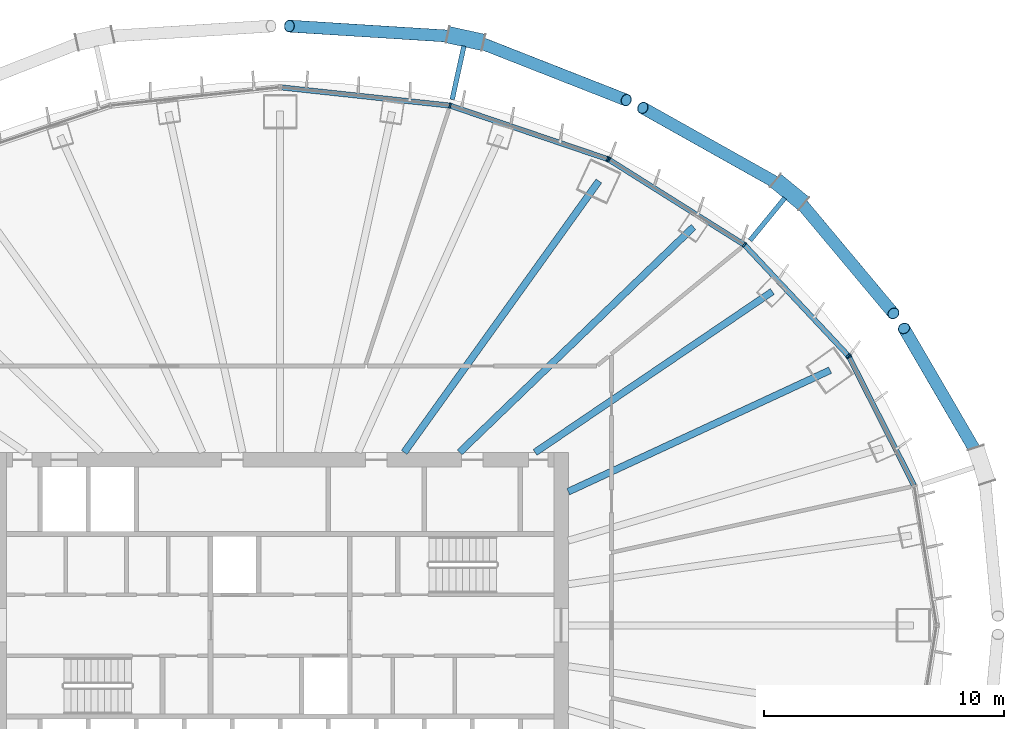
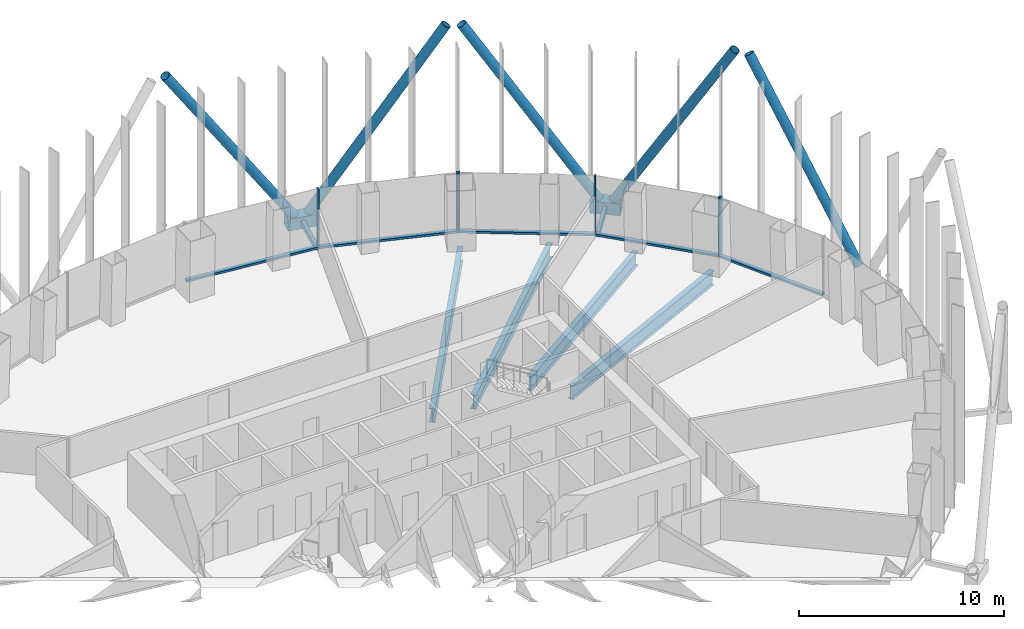
# One storey, part 5 of 19: 20 members, 4 beams, 3 elements without a shape of their own.
"""IFC4 building model written with IfcOpenShell, lengths in metres."""

from ifc_helpers import new_model, si_unit, direction, frame, origin, origin_2d, place, context, subcontext, project, spatial, rectangle, hollow_rectangle, hollow_circle, i_section, extrude, material, layer, layer_set, material_profile, profile_set, type_object, element, aggregate, save


model = new_model("IFC4")

# Units and contexts
model_context = context("Model", 3, precision=1e-05, world=origin(), true_north=direction((0.0, 1.0)))
body_context = subcontext(model_context, "Body", "Model", "MODEL_VIEW")
ifc_project = project(units=[si_unit("LENGTHUNIT", "METRE"), si_unit("AREAUNIT", "SQUARE_METRE"), si_unit("VOLUMEUNIT", "CUBIC_METRE"), si_unit("PLANEANGLEUNIT", "RADIAN"), si_unit("MASSUNIT", "GRAM", prefix="KILO")], contexts=[model_context])

# Site, building, storey
site_placement = place(None, origin())
site = spatial("IfcSite", under=ifc_project, at=site_placement, CompositionType="ELEMENT")
building_placement = place(site_placement, origin())
building = spatial("IfcBuilding", under=site, at=building_placement, Name="Siaravel Broadcast Tower", CompositionType="ELEMENT")
storey_placement = place(building_placement, frame((0.0, 0.0, 59.300048828125)))
storey = spatial("IfcBuildingStorey", under=building, at=storey_placement, Name="L13", CompositionType="ELEMENT", Elevation=59.300048828125)

# Beams
ifc_material_1 = material(Name="Steel S355", Category="steel")
ifc_material_profile_1 = material_profile(ifc_material_1, i_section(OverallWidth=0.291748046875, OverallDepth=0.8349609375, WebThickness=0.013916015625, FlangeThickness=0.018798828125, FilletRadius=0.017822265625, at=origin_2d()))
ifc_profile_set_1 = profile_set([ifc_material_profile_1], Name="Steel S355")
beam_type = type_object("IfcBeamType", Name="BM-UB 838x292x176", PredefinedType="BEAM", material=ifc_profile_set_1)
beam_1_placement = place(storey_placement, frame((22.90771484375, 10.625, -0.567626953125), z_axis=(-0.907166781, -0.420771234, 0.0), x_axis=(0.420771234, -0.907166781, 0.0)))
element("IfcBeam", 1, at=beam_1_placement, inside=storey, type_object=beam_type, Name="Radial beam RB04", PredefinedType="BEAM", context=body_context, shape_type="SweptSolid", body=[
    extrude(i_section(OverallWidth=0.291748046875, OverallDepth=0.8349609375, WebThickness=0.013916015625, FlangeThickness=0.018798828125, FilletRadius=0.017822265625, at=origin_2d()), origin(), (0.0, 0.0, 1.0), 12.02392578125),
])
beam_2_placement = place(storey_placement, frame((20.49951171875, 13.9013671875, -0.567626953125), z_axis=(-0.827642334, -0.561255884, 0.0), x_axis=(0.561255884, -0.827642334, 0.0)))
element("IfcBeam", 2, at=beam_2_placement, inside=storey, type_object=beam_type, Name="Radial beam RB05", PredefinedType="BEAM", context=body_context, shape_type="SweptSolid", body=[
    extrude(i_section(OverallWidth=0.291748046875, OverallDepth=0.8349609375, WebThickness=0.013916015625, FlangeThickness=0.018798828125, FilletRadius=0.017822265625, at=origin_2d()), origin(), (0.0, 0.0, 1.0), 11.93994140625),
])
beam_3_placement = place(storey_placement, frame((17.217041015625, 16.590087890625, -0.567626953125), z_axis=(-0.720091822, -0.693878784, 0.0), x_axis=(0.693878784, -0.720091822, 0.0)))
element("IfcBeam", 3, at=beam_3_placement, inside=storey, type_object=beam_type, Name="Radial beam RB06", PredefinedType="BEAM", context=body_context, shape_type="SweptSolid", body=[
    extrude(i_section(OverallWidth=0.291748046875, OverallDepth=0.8349609375, WebThickness=0.013916015625, FlangeThickness=0.018798828125, FilletRadius=0.017822265625, at=origin_2d()), origin(), (0.0, 0.0, 1.0), 13.53271484375),
])
beam_4_placement = place(storey_placement, frame((13.274658203125, 18.506103515625, -0.567626953125), z_axis=(-0.582857003, -0.812574743, 0.0), x_axis=(0.812574743, -0.582857003, 0.0)))
element("IfcBeam", 4, at=beam_4_placement, inside=storey, type_object=beam_type, Name="Radial beam RB07", PredefinedType="BEAM", context=body_context, shape_type="SweptSolid", body=[
    extrude(i_section(OverallWidth=0.291748046875, OverallDepth=0.8349609375, WebThickness=0.013916015625, FlangeThickness=0.018798828125, FilletRadius=0.017822265625, at=origin_2d()), origin(), (0.0, 0.0, 1.0), 13.9140625),
])

# Curtain wall, member
ifc_material_2 = material(Name="Aluminium 6063-T6", Category="aluminium")
ifc_layer = layer(ifc_material_2, 0.219970703125)
ifc_layer_set = layer_set([ifc_layer], Name="Aluminium 6063-T6")
curtain_wall_type = type_object("IfcCurtainWallType", Name="Unitised curtain wall, zone 1", PredefinedType="NOTDEFINED", material=ifc_layer_set)
curtain_wall_1_placement = place(storey_placement, origin())
curtain_wall_1 = element("IfcCurtainWall", 5, at=curtain_wall_1_placement, inside=storey, type_object=curtain_wall_type, Name="L13 Unitised curtain wall, zone 1 01", PredefinedType="NOTDEFINED")
ifc_material_profile_2 = material_profile(ifc_material_2, rectangle(XDim=0.219970703125, YDim=0.070068359375, at=origin_2d()))
ifc_profile_set_2 = profile_set([ifc_material_profile_2], Name="Aluminium 6063-T6")
member_type_1 = type_object("IfcMemberType", Name="CW-Z1 mullion", PredefinedType="MULLION", material=ifc_profile_set_2)
member_1_placement = place(storey_placement, frame((23.697265625, 11.177490234375, 0.0), z_axis=(0.0, 0.0, 1.0), x_axis=(-0.892391293, -0.451262428, 0.0)))
member_1 = element("IfcMember", 6, at=member_1_placement, type_object=member_type_1, Name="CW-Z1 mullion 3", PredefinedType="MULLION", context=body_context, shape_type="SweptSolid", body=[
    extrude(rectangle(XDim=0.219970703125, YDim=0.070068359375, at=origin_2d()), origin(), (0.0, 0.0, 1.0), 3.550048828125),
])

# Curtain wall, members
curtain_wall_2_placement = place(storey_placement, origin())
curtain_wall_2 = element("IfcCurtainWall", 7, at=curtain_wall_2_placement, inside=storey, type_object=curtain_wall_type, Name="L13 Unitised curtain wall, zone 1 02", PredefinedType="NOTDEFINED")
member_2_placement = place(storey_placement, frame((23.657470703125, 11.234375, 0.0), z_axis=(0.0, 0.0, 1.0), x_axis=(-0.729803931, -0.683656509, 0.0)))
member_2 = element("IfcMember", 8, at=member_2_placement, type_object=member_type_1, Name="CW-Z1 mullion 1", PredefinedType="MULLION", context=body_context, shape_type="SweptSolid", body=[
    extrude(rectangle(XDim=0.219970703125, YDim=0.070068359375, at=origin_2d()), origin(), (0.0, 0.0, 1.0), 3.550048828125),
])
member_3_placement = place(storey_placement, frame((19.333984375, 15.849609375, 0.0), z_axis=(0.0, 0.0, 1.0), x_axis=(-0.636217305, -0.77150991, 0.0)))
member_3 = element("IfcMember", 9, at=member_3_placement, type_object=member_type_1, Name="CW-Z1 mullion 2", PredefinedType="MULLION", context=body_context, shape_type="SweptSolid", body=[
    extrude(rectangle(XDim=0.219970703125, YDim=0.070068359375, at=origin_2d()), origin(), (0.0, 0.0, 1.0), 3.550048828125),
])
member_4_placement = place(storey_placement, frame((13.699951171875, 19.390869140625, 0.0), z_axis=(0.0, 0.0, 1.0), x_axis=(-0.532147932, -0.846651392, 0.0)))
member_4 = element("IfcMember", 10, at=member_4_placement, type_object=member_type_1, Name="CW-Z1 mullion 3", PredefinedType="MULLION", context=body_context, shape_type="SweptSolid", body=[
    extrude(rectangle(XDim=0.219970703125, YDim=0.070068359375, at=origin_2d()), origin(), (0.0, 0.0, 1.0), 3.550048828125),
])

curtain_wall_3_placement = place(storey_placement, origin())
curtain_wall_3 = element("IfcCurtainWall", 11, at=curtain_wall_3_placement, inside=storey, type_object=curtain_wall_type, Name="L13 Unitised curtain wall, zone 1 03", PredefinedType="NOTDEFINED")
member_5_placement = place(storey_placement, frame((13.63720703125, 19.420654296875, 0.0), z_axis=(0.0, 0.0, 1.0), x_axis=(-0.321299732, -0.946977551, 0.0)))
member_5 = element("IfcMember", 12, at=member_5_placement, type_object=member_type_1, Name="CW-Z1 mullion 1", PredefinedType="MULLION", context=body_context, shape_type="SweptSolid", body=[
    extrude(rectangle(XDim=0.219970703125, YDim=0.070068359375, at=origin_2d()), origin(), (0.0, 0.0, 1.0), 3.550048828125),
])
member_6_placement = place(storey_placement, frame((7.075927734375, 21.646728515625, 0.0), z_axis=(0.0, 0.0, 1.0), x_axis=(-0.215557455, -0.976491159, 0.0)))
member_6 = element("IfcMember", 13, at=member_6_placement, type_object=member_type_1, Name="CW-Z1 mullion 2", PredefinedType="MULLION", context=body_context, shape_type="SweptSolid", body=[
    extrude(rectangle(XDim=0.219970703125, YDim=0.070068359375, at=origin_2d()), origin(), (0.0, 0.0, 1.0), 3.550048828125),
])

# Member
ifc_material_profile_3 = material_profile(ifc_material_2, rectangle(XDim=0.219970703125, YDim=0.1201171875, at=origin_2d()))
ifc_profile_set_3 = profile_set([ifc_material_profile_3], Name="Aluminium 6063-T6")
member_type_2 = type_object("IfcMemberType", Name="CW-Z1 transom", PredefinedType="USERDEFINED", material=ifc_profile_set_3)
member_7_placement = place(storey_placement, frame((26.3994140625, 5.833984375, 0.06005859375), z_axis=(-0.451293706, 0.892375477, 0.0), x_axis=(-0.892375477, -0.451293706, 0.0)))
member_7 = element("IfcMember", 14, at=member_7_placement, type_object=member_type_2, Name="CW-Z1 transom 2", ObjectType="TRANSOM", PredefinedType="USERDEFINED", context=body_context, shape_type="SweptSolid", body=[
    extrude(rectangle(XDim=0.219970703125, YDim=0.1201171875, at=origin_2d()), origin(), (0.0, 0.0, 1.0), 5.952880859375),
])

aggregate(curtain_wall_1, [member_1, member_7])

member_8_placement = place(storey_placement, frame((23.633544921875, 11.259765625, 0.06005859375), z_axis=(-0.683638503, 0.729820798, 0.0), x_axis=(-0.729820798, -0.683638503, 0.0)))
member_8 = element("IfcMember", 15, at=member_8_placement, type_object=member_type_2, Name="CW-Z1 transom 1", ObjectType="TRANSOM", PredefinedType="USERDEFINED", context=body_context, shape_type="SweptSolid", body=[
    extrude(rectangle(XDim=0.219970703125, YDim=0.1201171875, at=origin_2d()), origin(), (0.0, 0.0, 1.0), 6.25390625),
])

member_9_placement = place(storey_placement, frame((19.304443359375, 15.8681640625, 0.06005859375), z_axis=(-0.846643708, 0.532160155, 0.0), x_axis=(-0.532160155, -0.846643708, 0.0)))
member_9 = element("IfcMember", 16, at=member_9_placement, type_object=member_type_2, Name="CW-Z1 transom 2", ObjectType="TRANSOM", PredefinedType="USERDEFINED", context=body_context, shape_type="SweptSolid", body=[
    extrude(rectangle(XDim=0.219970703125, YDim=0.1201171875, at=origin_2d()), origin(), (0.0, 0.0, 1.0), 6.584716796875),
])

aggregate(curtain_wall_2, [member_2, member_3, member_4, member_8, member_9])

member_10_placement = place(storey_placement, frame((13.60400390625, 19.431884765625, 0.06005859375), z_axis=(-0.946978894, 0.321295775, 0.0), x_axis=(-0.321295775, -0.946978894, 0.0)))
member_10 = element("IfcMember", 17, at=member_10_placement, type_object=member_type_2, Name="CW-Z1 transom 1", ObjectType="TRANSOM", PredefinedType="USERDEFINED", context=body_context, shape_type="SweptSolid", body=[
    extrude(rectangle(XDim=0.219970703125, YDim=0.1201171875, at=origin_2d()), origin(), (0.0, 0.0, 1.0), 6.8583984375),
])

member_11_placement = place(storey_placement, frame((7.041015625, 21.650634765625, 0.06005859375), z_axis=(-0.994236875, 0.10720558, 0.0), x_axis=(-0.10720558, -0.994236875, 0.0)))
member_11 = element("IfcMember", 18, at=member_11_placement, type_object=member_type_2, Name="CW-Z1 transom 2", ObjectType="TRANSOM", PredefinedType="USERDEFINED", context=body_context, shape_type="SweptSolid", body=[
    extrude(rectangle(XDim=0.219970703125, YDim=0.1201171875, at=origin_2d()), origin(), (0.0, 0.0, 1.0), 7.011962890625),
])

aggregate(curtain_wall_3, [member_5, member_6, member_10, member_11])

# Members
ifc_material_3 = material(Name="Steel S460", Category="steel")
ifc_material_profile_4 = material_profile(ifc_material_3, hollow_circle(Radius=0.25390625, WallThickness=0.02001953125, at=origin_2d()))
ifc_profile_set_4 = profile_set([ifc_material_profile_4], Name="Steel S460")
member_type_3 = type_object("IfcMemberType", Name="Diagrid diagonal CHS 508x20", PredefinedType="BRACE", material=ifc_profile_set_4)
member_12_placement = place(storey_placement, frame((29.091796875, 7.03759765625, 0.119873046875), z_axis=(-0.25587912, 0.438922755, 0.861320319), x_axis=(-0.863915209, -0.503637282, 0.0)))
element("IfcMember", 19, at=member_12_placement, inside=storey, type_object=member_type_3, Name="Diagrid diagonal R06 station 03A", PredefinedType="BRACE", context=body_context, shape_type="SweptSolid", body=[
    extrude(hollow_circle(Radius=0.25390625, WallThickness=0.02001953125, at=origin_2d()), origin(), (0.0, 0.0, 1.0), 12.14404296875),
])
member_13_placement = place(storey_placement, frame((21.51513671875, 17.80419921875, 0.119873046875), z_axis=(0.330464739, -0.394736779, 0.857307373), x_axis=(0.766769686, 0.641922308, 0.0)))
element("IfcMember", 20, at=member_13_placement, inside=storey, type_object=member_type_3, Name="Diagrid diagonal R06 station 09C", PredefinedType="BRACE", context=body_context, shape_type="SweptSolid", body=[
    extrude(hollow_circle(Radius=0.25390625, WallThickness=0.02001953125, at=origin_2d()), origin(), (0.0, 0.0, 1.0), 12.200927734375),
])
member_14_placement = place(storey_placement, frame((20.927978515625, 18.28515625, 0.119873046875), z_axis=(-0.469332409, 0.263280196, 0.842858605), x_axis=(-0.489245549, -0.872146085, 0.0)))
element("IfcMember", 21, at=member_14_placement, inside=storey, type_object=member_type_3, Name="Diagrid diagonal R06 station 09A", PredefinedType="BRACE", context=body_context, shape_type="SweptSolid", body=[
    extrude(hollow_circle(Radius=0.25390625, WallThickness=0.02001953125, at=origin_2d()), origin(), (0.0, 0.0, 1.0), 12.41015625),
])
member_15_placement = place(storey_placement, frame((8.092529296875, 24.360107421875, 0.119873046875), z_axis=(0.507081443, -0.199078448, 0.838591785), x_axis=(0.365442263, 0.930834009, 0.0)))
element("IfcMember", 22, at=member_15_placement, inside=storey, type_object=member_type_3, Name="Diagrid diagonal R06 station 15C", PredefinedType="BRACE", context=body_context, shape_type="SweptSolid", body=[
    extrude(hollow_circle(Radius=0.25390625, WallThickness=0.02001953125, at=origin_2d()), origin(), (0.0, 0.0, 1.0), 12.47314453125),
])
member_16_placement = place(storey_placement, frame((7.351318359375, 24.522705078125, 0.119873046875), z_axis=(-0.554288775, 0.034763147, 0.831598147), x_axis=(-0.06259369, -0.998039092, 0.0)))
element("IfcMember", 23, at=member_16_placement, inside=storey, type_object=member_type_3, Name="Diagrid diagonal R06 station 15A", PredefinedType="BRACE", context=body_context, shape_type="SweptSolid", body=[
    extrude(hollow_circle(Radius=0.25390625, WallThickness=0.02001953125, at=origin_2d()), origin(), (0.0, 0.0, 1.0), 12.578125),
])
ifc_material_profile_5 = material_profile(ifc_material_3, hollow_rectangle(XDim=0.699951171875, YDim=0.699951171875, WallThickness=0.0400390625, at=origin_2d()))
ifc_profile_set_5 = profile_set([ifc_material_profile_5], Name="Steel S460")
member_type_4 = type_object("IfcMemberType", Name="Diagrid node BOX 700x700x40", PredefinedType="USERDEFINED", material=ifc_profile_set_5)
member_17_placement = place(storey_placement, frame((21.804443359375, 17.5673828125, -0.199951171875), z_axis=(-0.773560079, 0.633722972, 0.0), x_axis=(-0.633722972, -0.773560079, 0.0)))
element("IfcMember", 24, at=member_17_placement, inside=storey, type_object=member_type_4, Name="Diagrid node R06 station 09", ObjectType="DIAGRID NODE", PredefinedType="USERDEFINED", context=body_context, shape_type="SweptSolid", body=[
    extrude(hollow_rectangle(XDim=0.699951171875, YDim=0.699951171875, WallThickness=0.0400390625, at=origin_2d()), origin(), (0.0, 0.0, 1.0), 1.506591796875),
])
member_18_placement = place(storey_placement, frame((8.4580078125, 24.280029296875, -0.199951171875), z_axis=(-0.976759236, 0.214339438, 0.0), x_axis=(-0.214339438, -0.976759236, 0.0)))
element("IfcMember", 25, at=member_18_placement, inside=storey, type_object=member_type_4, Name="Diagrid node R06 station 15", ObjectType="DIAGRID NODE", PredefinedType="USERDEFINED", context=body_context, shape_type="SweptSolid", body=[
    extrude(hollow_rectangle(XDim=0.699951171875, YDim=0.699951171875, WallThickness=0.0400390625, at=origin_2d()), origin(), (0.0, 0.0, 1.0), 1.5068359375),
])
ifc_material_profile_6 = material_profile(ifc_material_3, hollow_rectangle(XDim=0.199951171875, YDim=0.300048828125, WallThickness=0.012451171875, at=origin_2d()))
ifc_profile_set_6 = profile_set([ifc_material_profile_6], Name="Steel S460")
member_type_5 = type_object("IfcMemberType", Name="Diagrid node arm RHS 300x200x12.5", PredefinedType="STRUT", material=ifc_profile_set_6)
for number, where, z_axis, x_axis, name in (
    (26, (19.57421875, 16.033447265625, -0.199951171875), (0.633651746, 0.773618423, 0.0), (-0.773618423, 0.633651746, 0.0), "Node arm R06 station 09"),
    (27, (7.16455078125, 21.902099609375, -0.199951171875), (0.214389852, 0.976748172, 0.0), (-0.976748172, 0.214389852, 0.0), "Node arm R06 station 15"),
):
    element("IfcMember", number, at=place(storey_placement, frame(where, z_axis=z_axis, x_axis=x_axis)), inside=storey, type_object=member_type_5, Name=name, PredefinedType="STRUT", context=body_context, shape_type="SweptSolid", body=[
        extrude(hollow_rectangle(XDim=0.199951171875, YDim=0.300048828125, WallThickness=0.012451171875, at=origin_2d()), origin(), (0.0, 0.0, 1.0), 2.27978515625),
    ])

save(model, "model.ifc")
